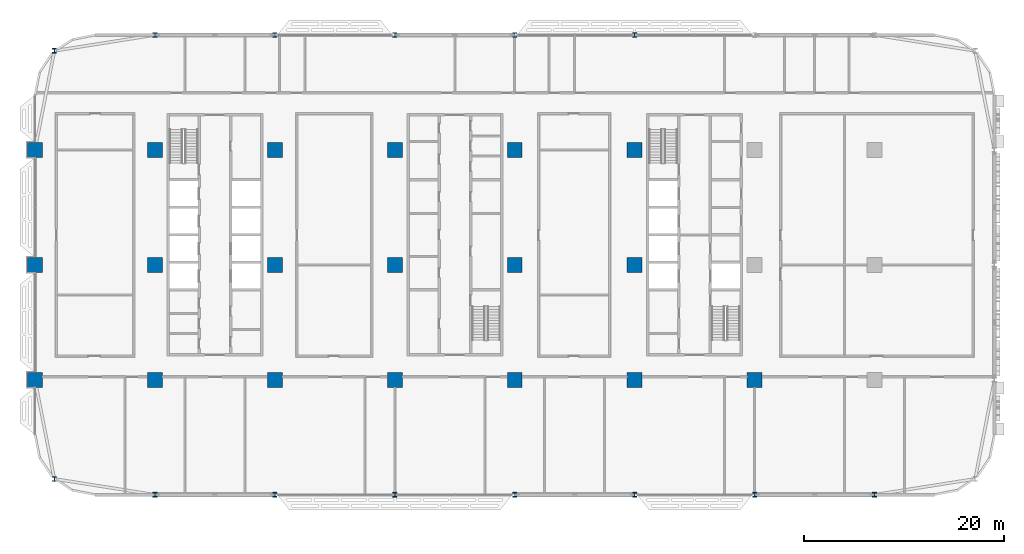
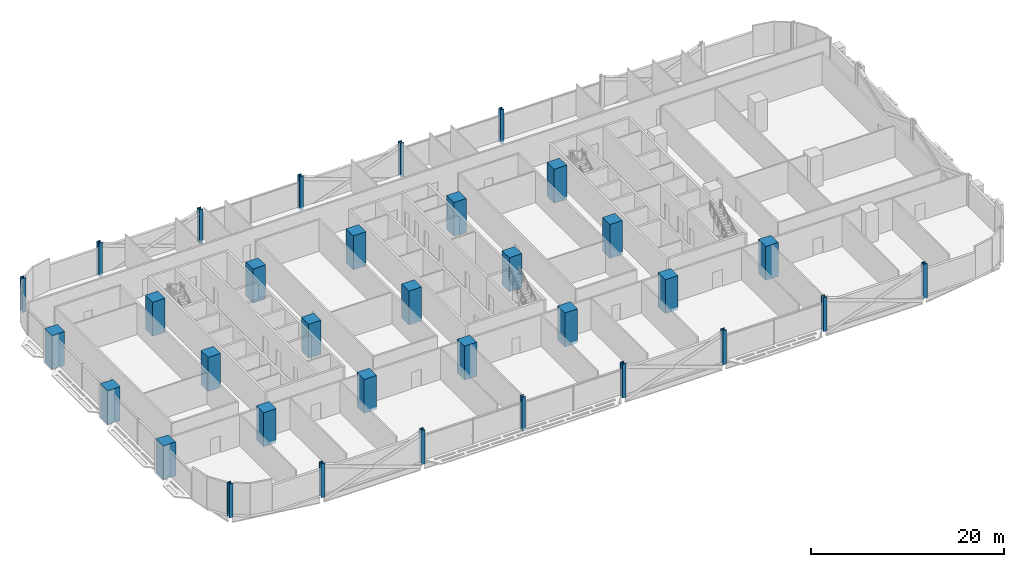
# One storey, part 1 of 29: 33 columns.
"""IFC4 building model written with IfcOpenShell, lengths in metres."""

from ifc_helpers import new_model, si_unit, direction, frame, origin, origin_2d, place, context, subcontext, project, spatial, rectangle, i_section, extrude, material, material_profile, profile_set, type_object, element, save


model = new_model("IFC4")

# Units and contexts
model_context = context("Model", 3, precision=1e-05, world=origin(), true_north=direction((0.0, 1.0)))
body_context = subcontext(model_context, "Body", "Model", "MODEL_VIEW")
ifc_project = project(units=[si_unit("LENGTHUNIT", "METRE"), si_unit("AREAUNIT", "SQUARE_METRE"), si_unit("VOLUMEUNIT", "CUBIC_METRE"), si_unit("PLANEANGLEUNIT", "RADIAN"), si_unit("MASSUNIT", "GRAM", prefix="KILO")], contexts=[model_context])

# Site, building, storey
site_placement = place(None, origin())
site = spatial("IfcSite", under=ifc_project, at=site_placement, CompositionType="ELEMENT")
building_placement = place(site_placement, origin())
building = spatial("IfcBuilding", under=site, at=building_placement, Name="Mahtab Terrace Research Tower", CompositionType="ELEMENT")
storey_placement = place(building_placement, frame((0.0, 0.0, 71.800048828125)))
storey = spatial("IfcBuildingStorey", under=building, at=storey_placement, Name="L16", CompositionType="ELEMENT", Elevation=71.800048828125)

# Columns
ifc_material_1 = material(Name="Concrete C70/85", Category="concrete")
ifc_material_profile_1 = material_profile(ifc_material_1, rectangle(XDim=1.5, YDim=1.5, at=origin_2d()), Name="RC column 1500x1500")
ifc_profile_set_1 = profile_set([ifc_material_profile_1], Name="Concrete C70/85")
column_type_1 = type_object("IfcColumnType", Name="RC column 1500x1500", PredefinedType="COLUMN", material=ifc_profile_set_1)
for number, where, z_axis, x_axis, name in (
    (1, (-42.0, -11.5, -0.340087890625), (0.0, 0.0, 1.0), (1.0, 0.0, 0.0), "Column RC-1A L16"),
    (2, (-42.0, 0.0, -0.340087890625), (0.0, 0.0, 1.0), (1.0, 0.0, 0.0), "Column RC-1B L16"),
    (3, (-42.0, 11.5, -0.340087890625), (0.0, 0.0, 1.0), (1.0, 0.0, 0.0), "Column RC-1C L16"),
    (4, (-30.0, -11.5, -0.340087890625), (0.0, 0.0, 1.0), (1.0, 0.0, 0.0), "Column RC-2A L16"),
    (5, (-30.0, 0.0, -0.340087890625), (0.0, 0.0, 1.0), (1.0, 0.0, 0.0), "Column RC-2B L16"),
    (6, (-30.0, 11.5, -0.340087890625), (0.0, 0.0, 1.0), (1.0, 0.0, 0.0), "Column RC-2C L16"),
    (7, (-18.0, -11.5, -0.340087890625), (0.0, 0.0, 1.0), (1.0, 0.0, 0.0), "Column RC-3A L16"),
    (8, (-18.0, 0.0, -0.340087890625), (0.0, 0.0, 1.0), (1.0, 0.0, 0.0), "Column RC-3B L16"),
    (9, (-18.0, 11.5, -0.340087890625), (0.0, 0.0, 1.0), (1.0, 0.0, 0.0), "Column RC-3C L16"),
    (10, (-6.0, -11.5, -0.340087890625), (0.0, 0.0, 1.0), (1.0, 0.0, 0.0), "Column RC-4A L16"),
    (11, (-6.0, 0.0, -0.340087890625), (0.0, 0.0, 1.0), (1.0, 0.0, 0.0), "Column RC-4B L16"),
    (12, (-6.0, 11.5, -0.340087890625), (0.0, 0.0, 1.0), (1.0, 0.0, 0.0), "Column RC-4C L16"),
    (13, (6.0, -11.5, -0.340087890625), (0.0, 0.0, 1.0), (1.0, 0.0, 0.0), "Column RC-5A L16"),
    (14, (6.0, 0.0, -0.340087890625), (0.0, 0.0, 1.0), (1.0, 0.0, 0.0), "Column RC-5B L16"),
    (15, (6.0, 11.5, -0.340087890625), (0.0, 0.0, 1.0), (1.0, 0.0, 0.0), "Column RC-5C L16"),
    (16, (18.0, -11.5, -0.340087890625), (0.0, 0.0, 1.0), (1.0, 0.0, 0.0), "Column RC-6A L16"),
    (17, (18.0, 0.0, -0.340087890625), (0.0, 0.0, 1.0), (1.0, 0.0, 0.0), "Column RC-6B L16"),
    (18, (18.0, 11.5, -0.340087890625), (0.0, 0.0, 1.0), (1.0, 0.0, 0.0), "Column RC-6C L16"),
    (19, (30.0, -11.5, -0.340087890625), (0.0, 0.0, 1.0), (1.0, 0.0, 0.0), "Column RC-7A L16"),
):
    element("IfcColumn", number, at=place(storey_placement, frame(where, z_axis=z_axis, x_axis=x_axis)), inside=storey, type_object=column_type_1, Name=name, PredefinedType="COLUMN", context=body_context, shape_type="SweptSolid", body=[
        extrude(rectangle(XDim=1.5, YDim=1.5, at=origin_2d()), origin(), (0.0, 0.0, 1.0), 4.300048828125),
    ])
ifc_material_2 = material(Name="Steel ASTM A992 Gr 50", Category="steel")
ifc_material_profile_2 = material_profile(ifc_material_2, i_section(OverallWidth=0.42431640625, OverallDepth=0.47509765625, WebThickness=0.0478515625, FlangeThickness=0.0771484375, at=origin_2d()), Name="W14X426")
ifc_profile_set_2 = profile_set([ifc_material_profile_2], Name="Steel ASTM A992 Gr 50")
column_type_2 = type_object("IfcColumnType", Name="W14x426 column CS14426", PredefinedType="COLUMN", material=ifc_profile_set_2)
for number, where, z_axis, x_axis, name in (
    (20, (18.0, 23.0, -0.340087890625), (0.0, 0.0, 1.0), (1.0, 0.0, 0.0), "Column SC-003 L16"),
    (21, (6.0, 23.0, -0.340087890625), (0.0, 0.0, 1.0), (1.0, 0.0, 0.0), "Column SC-004 L16"),
    (22, (-6.0, 23.0, -0.340087890625), (0.0, 0.0, 1.0), (1.0, 0.0, 0.0), "Column SC-005 L16"),
    (23, (-18.0, 23.0, -0.340087890625), (0.0, 0.0, 1.0), (1.0, 0.0, 0.0), "Column SC-006 L16"),
    (24, (-30.0, 23.0, -0.340087890625), (0.0, 0.0, 1.0), (1.0, 0.0, 0.0), "Column SC-007 L16"),
    (25, (-40.06201171875, 21.416015625, -0.340087890625), (0.0, 0.0, 1.0), (1.0, 0.0, 0.0), "Column SC-024 L16"),
    (26, (-40.06201171875, -21.416015625, -0.340087890625), (0.0, 0.0, 1.0), (1.0, 0.0, 0.0), "Column SC-025 L16"),
    (27, (-30.0, -23.0, -0.340087890625), (0.0, 0.0, 1.0), (1.0, 0.0, 0.0), "Column SC-013 L16"),
    (28, (-18.0, -23.0, -0.340087890625), (0.0, 0.0, 1.0), (1.0, 0.0, 0.0), "Column SC-014 L16"),
    (29, (-6.0, -23.0, -0.340087890625), (0.0, 0.0, 1.0), (1.0, 0.0, 0.0), "Column SC-015 L16"),
    (30, (6.0, -23.0, -0.340087890625), (0.0, 0.0, 1.0), (1.0, 0.0, 0.0), "Column SC-016 L16"),
    (31, (18.0, -23.0, -0.340087890625), (0.0, 0.0, 1.0), (1.0, 0.0, 0.0), "Column SC-017 L16"),
    (32, (30.0, -23.0, -0.340087890625), (0.0, 0.0, 1.0), (1.0, 0.0, 0.0), "Column SC-018 L16"),
    (33, (42.0, -23.0, -0.340087890625), (0.0, 0.0, 1.0), (1.0, 0.0, 0.0), "Column SC-019 L16"),
):
    element("IfcColumn", number, at=place(storey_placement, frame(where, z_axis=z_axis, x_axis=x_axis)), inside=storey, type_object=column_type_2, Name=name, PredefinedType="COLUMN", context=body_context, shape_type="SweptSolid", body=[
        extrude(i_section(OverallWidth=0.42431640625, OverallDepth=0.47509765625, WebThickness=0.0478515625, FlangeThickness=0.0771484375, at=origin_2d()), origin(), (0.0, 0.0, 1.0), 4.300048828125),
    ])

save(model, "model.ifc")
